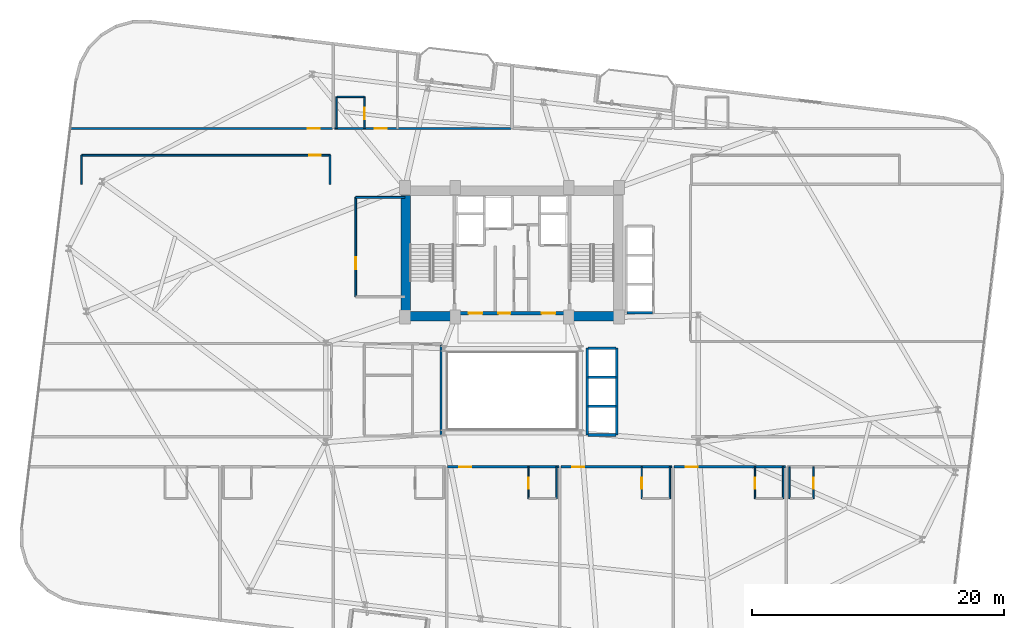
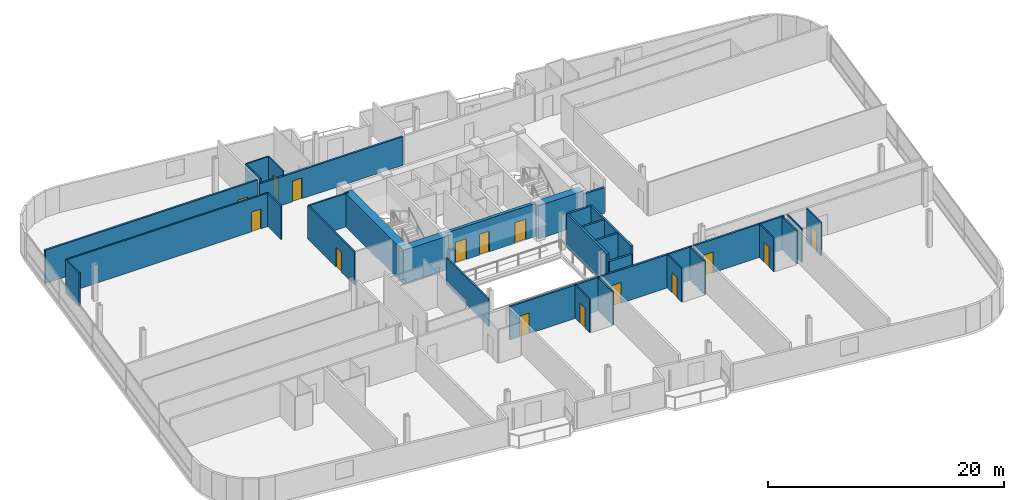
# One storey, part 21 of 26: 33 walls, 15 doors, 15 openings.
"""IFC4 building model written with IfcOpenShell, lengths in metres."""

from ifc_helpers import new_model, si_unit, direction, frame, frame_2d, origin, place, context, subcontext, project, spatial, rectangle, extrude, material, layer, layer_set, type_object, element, fill, save


model = new_model("IFC4")

# Units and contexts
model_context = context("Model", 3, precision=1e-05, world=origin(), true_north=direction((0.0, 1.0)))
body_context = subcontext(model_context, "Body", "Model", "MODEL_VIEW")
ifc_project = project(units=[si_unit("LENGTHUNIT", "METRE"), si_unit("AREAUNIT", "SQUARE_METRE"), si_unit("VOLUMEUNIT", "CUBIC_METRE"), si_unit("PLANEANGLEUNIT", "RADIAN"), si_unit("MASSUNIT", "GRAM", prefix="KILO")], contexts=[model_context])

# Site, building, storey
site_placement = place(None, origin())
site = spatial("IfcSite", under=ifc_project, at=site_placement, CompositionType="ELEMENT")
building_placement = place(site_placement, origin())
building = spatial("IfcBuilding", under=site, at=building_placement, Name="Varnelok Gate Tower", CompositionType="ELEMENT")
storey_placement = place(building_placement, frame((0.0, 0.0, 147.60009765625)))
storey = spatial("IfcBuildingStorey", under=building, at=storey_placement, Name="L37", CompositionType="ELEMENT", Elevation=147.60009765625)

# Wall, opening, door
ifc_material_1 = material(Name="Gypsum Plasterboard Acoustic Partition", Category="gypsum")
ifc_layer_1 = layer(ifc_material_1, 0.179931640625)
ifc_layer_set_1 = layer_set([ifc_layer_1], Name="Gypsum Plasterboard Acoustic Partition")
wall_type_1 = type_object("IfcWallType", Name="PW-CORR-180", PredefinedType="PARTITIONING", material=ifc_layer_set_1)
wall_1_placement = place(storey_placement, frame((34.080078125, 16.85009765625, 0.0), z_axis=(0.0, 0.0, 1.0), x_axis=(1.0, 0.0, 0.0)))
wall_1 = element("IfcWall", 1, at=wall_1_placement, inside=storey, type_object=wall_type_1, Name="Interior Partition", PredefinedType="PARTITIONING", context=body_context, shape_type="SweptSolid", body=[
    extrude(rectangle(XDim=8.83984375, YDim=0.179931640625, at=frame_2d((4.419921875, 0.0))), origin(), (0.0, 0.0, 1.0), 3.449951171875),
])
opening_1_placement = place(wall_1_placement, frame((0.91796875, 0.0, 0.0)))
opening_1 = element("IfcOpeningElement", 2, at=opening_1_placement, cuts=wall_1, Name="Opening D-HT", PredefinedType="OPENING", context=body_context, shape_type="SweptSolid", body=[
    extrude(rectangle(XDim=0.949951171875, YDim=2.14990234375, at=frame_2d((0.47509765625, 1.074951171875))), frame((0.0, 0.099853515625, 0.0), z_axis=(0.0, -1.0, 0.0), x_axis=(1.0, 0.0, 0.0)), (0.0, 0.0, 1.0), 0.199951171875),
])
ifc_material_2 = material(Name="Engineered Hardwood Timber", Category="wood")
door_type_1 = type_object("IfcDoorType", Name="DR-HTL-950", OperationType="NOTDEFINED", PredefinedType="DOOR", material=ifc_material_2)
door_1_placement = place(opening_1_placement, origin())
door_1 = element("IfcDoor", 3, at=door_1_placement, inside=storey, type_object=door_type_1, Name="L37 Guest Room 04 Entrance Door", OperationType="SINGLE_SWING_LEFT", OverallHeight=2.14990234375, OverallWidth=0.949951171875, PredefinedType="DOOR", context=body_context, shape_type="SweptSolid", body=[
    extrude(rectangle(XDim=0.949951171875, YDim=2.14990234375, at=frame_2d((0.47509765625, 1.074951171875))), frame((0.0, 0.02490234375, 0.0), z_axis=(0.0, -1.0, 0.0), x_axis=(1.0, 0.0, 0.0)), (0.0, 0.0, 1.0), 0.050048828125),
])
fill(opening_1, door_1)

wall_2_placement = place(storey_placement, frame((43.080078125, 16.85009765625, 0.0), z_axis=(0.0, 0.0, 1.0), x_axis=(1.0, 0.0, 0.0)))
wall_2 = element("IfcWall", 4, at=wall_2_placement, inside=storey, type_object=wall_type_1, Name="Interior Partition", PredefinedType="PARTITIONING", context=body_context, shape_type="SweptSolid", body=[
    extrude(rectangle(XDim=8.83984375, YDim=0.179931640625, at=frame_2d((4.419921875, 0.0))), origin(), (0.0, 0.0, 1.0), 3.449951171875),
])
opening_2_placement = place(wall_2_placement, frame((0.91796875, 0.0, 0.0)))
opening_2 = element("IfcOpeningElement", 5, at=opening_2_placement, cuts=wall_2, Name="Opening D-HT", PredefinedType="OPENING", context=body_context, shape_type="SweptSolid", body=[
    extrude(rectangle(XDim=0.949951171875, YDim=2.14990234375, at=frame_2d((0.47509765625, 1.074951171875))), frame((0.0, 0.099853515625, 0.0), z_axis=(0.0, -1.0, 0.0), x_axis=(1.0, 0.0, 0.0)), (0.0, 0.0, 1.0), 0.199951171875),
])
door_2_placement = place(opening_2_placement, origin())
door_2 = element("IfcDoor", 6, at=door_2_placement, inside=storey, type_object=door_type_1, Name="L37 Guest Room 05 Entrance Door", OperationType="SINGLE_SWING_RIGHT", OverallHeight=2.14990234375, OverallWidth=0.949951171875, PredefinedType="DOOR", context=body_context, shape_type="SweptSolid", body=[
    extrude(rectangle(XDim=0.949951171875, YDim=2.14990234375, at=frame_2d((0.47509765625, 1.074951171875))), frame((0.0, 0.02490234375, 0.0), z_axis=(0.0, -1.0, 0.0), x_axis=(1.0, 0.0, 0.0)), (0.0, 0.0, 1.0), 0.050048828125),
])
fill(opening_2, door_2)

wall_3_placement = place(storey_placement, frame((52.080078125, 16.85009765625, 0.0), z_axis=(0.0, 0.0, 1.0), x_axis=(1.0, 0.0, 0.0)))
wall_3 = element("IfcWall", 7, at=wall_3_placement, inside=storey, type_object=wall_type_1, Name="Interior Partition", PredefinedType="PARTITIONING", context=body_context, shape_type="SweptSolid", body=[
    extrude(rectangle(XDim=8.83984375, YDim=0.179931640625, at=frame_2d((4.419921875, 0.0))), origin(), (0.0, 0.0, 1.0), 3.449951171875),
])
opening_3_placement = place(wall_3_placement, frame((0.91796875, 0.0, 0.0)))
opening_3 = element("IfcOpeningElement", 8, at=opening_3_placement, cuts=wall_3, Name="Opening D-HT", PredefinedType="OPENING", context=body_context, shape_type="SweptSolid", body=[
    extrude(rectangle(XDim=0.949951171875, YDim=2.14990234375, at=frame_2d((0.47509765625, 1.074951171875))), frame((0.0, 0.099853515625, 0.0), z_axis=(0.0, -1.0, 0.0), x_axis=(1.0, 0.0, 0.0)), (0.0, 0.0, 1.0), 0.199951171875),
])
door_3_placement = place(opening_3_placement, origin())
door_3 = element("IfcDoor", 9, at=door_3_placement, inside=storey, type_object=door_type_1, Name="L37 Guest Room 06 Entrance Door", OperationType="SINGLE_SWING_LEFT", OverallHeight=2.14990234375, OverallWidth=0.949951171875, PredefinedType="DOOR", context=body_context, shape_type="SweptSolid", body=[
    extrude(rectangle(XDim=0.949951171875, YDim=2.14990234375, at=frame_2d((0.47509765625, 1.074951171875))), frame((0.0, 0.02490234375, 0.0), z_axis=(0.0, -1.0, 0.0), x_axis=(1.0, 0.0, 0.0)), (0.0, 0.0, 1.0), 0.050048828125),
])
fill(opening_3, door_3)

wall_4_placement = place(storey_placement, frame((4.142822265625, 43.72998046875, 0.0), z_axis=(0.0, 0.0, 1.0), x_axis=(1.0, 0.0, 0.0)))
wall_4 = element("IfcWall", 10, at=wall_4_placement, inside=storey, type_object=wall_type_1, Name="Interior Partition", PredefinedType="PARTITIONING", context=body_context, shape_type="SweptSolid", body=[
    extrude(rectangle(XDim=20.777099609375, YDim=0.179931640625, at=frame_2d((10.388671875, 0.0))), origin(), (0.0, 0.0, 1.0), 3.449951171875),
])
opening_4_placement = place(wall_4_placement, frame((18.83203125, 0.0, 0.0)))
opening_4 = element("IfcOpeningElement", 11, at=opening_4_placement, cuts=wall_4, Name="Opening D-I2", PredefinedType="OPENING", context=body_context, shape_type="SweptSolid", body=[
    extrude(rectangle(XDim=0.949951171875, YDim=2.050048828125, at=frame_2d((0.47509765625, 1.02490234375))), frame((0.0, 0.099853515625, 0.0), z_axis=(0.0, -1.0, 0.0), x_axis=(1.0, 0.0, 0.0)), (0.0, 0.0, 1.0), 0.199951171875),
])
door_type_2 = type_object("IfcDoorType", Name="DR-INT-950", OperationType="NOTDEFINED", PredefinedType="DOOR", material=ifc_material_2)
door_4_placement = place(opening_4_placement, origin())
door_4 = element("IfcDoor", 12, at=door_4_placement, inside=storey, type_object=door_type_2, Name="L37 Sky Library Door", OperationType="SINGLE_SWING_LEFT", OverallHeight=2.050048828125, OverallWidth=0.949951171875, PredefinedType="DOOR", context=body_context, shape_type="SweptSolid", body=[
    extrude(rectangle(XDim=0.949951171875, YDim=2.050048828125, at=frame_2d((0.47509765625, 1.02490234375))), frame((0.0, 0.02490234375, 0.0), z_axis=(0.0, -1.0, 0.0), x_axis=(1.0, 0.0, 0.0)), (0.0, 0.0, 1.0), 0.050048828125),
])
fill(opening_4, door_4)

wall_5_placement = place(storey_placement, frame((25.080078125, 43.72998046875, 0.0), z_axis=(0.0, 0.0, 1.0), x_axis=(1.0, 0.0, 0.0)))
wall_5 = element("IfcWall", 13, at=wall_5_placement, inside=storey, type_object=wall_type_1, Name="Interior Partition", PredefinedType="PARTITIONING", context=body_context, shape_type="SweptSolid", body=[
    extrude(rectangle(XDim=14.0400390625, YDim=0.179931640625, at=frame_2d((7.02001953125, 0.0))), origin(), (0.0, 0.0, 1.0), 2.971923828125),
])
opening_5_placement = place(wall_5_placement, frame((3.22998046875, 0.0, 0.0)))
opening_5 = element("IfcOpeningElement", 14, at=opening_5_placement, cuts=wall_5, Name="Opening D-HT", PredefinedType="OPENING", context=body_context, shape_type="SweptSolid", body=[
    extrude(rectangle(XDim=0.949951171875, YDim=2.14990234375, at=frame_2d((0.47509765625, 1.074951171875))), frame((0.0, 0.099853515625, 0.0), z_axis=(0.0, -1.0, 0.0), x_axis=(1.0, 0.0, 0.0)), (0.0, 0.0, 1.0), 0.199951171875),
])
door_5_placement = place(opening_5_placement, origin())
door_5 = element("IfcDoor", 15, at=door_5_placement, inside=storey, type_object=door_type_1, Name="L37 Guest Room 09 Entrance Door", OperationType="SINGLE_SWING_RIGHT", OverallHeight=2.14990234375, OverallWidth=0.949951171875, PredefinedType="DOOR", context=body_context, shape_type="SweptSolid", body=[
    extrude(rectangle(XDim=0.949951171875, YDim=2.14990234375, at=frame_2d((0.47509765625, 1.074951171875))), frame((0.0, 0.02490234375, 0.0), z_axis=(0.0, -1.0, 0.0), x_axis=(1.0, 0.0, 0.0)), (0.0, 0.0, 1.0), 0.050048828125),
])
fill(opening_5, door_5)

ifc_layer_2 = layer(ifc_material_1, 0.114990234375)
ifc_layer_set_2 = layer_set([ifc_layer_2], Name="Gypsum Plasterboard Acoustic Partition")
wall_type_2 = type_object("IfcWallType", Name="PW-ENS-125", PredefinedType="PARTITIONING", material=ifc_layer_set_2)
wall_6_placement = place(storey_placement, frame((40.510009765625, 14.330078125, 0.0), z_axis=(0.0, 0.0, 1.0), x_axis=(0.0, 1.0, 0.0)))
wall_6 = element("IfcWall", 16, at=wall_6_placement, inside=storey, type_object=wall_type_2, Name="Interior Partition", PredefinedType="PARTITIONING", context=body_context, shape_type="SweptSolid", body=[
    extrude(rectangle(XDim=2.52001953125, YDim=0.114990234375, at=frame_2d((1.260009765625, 0.0))), origin(), (0.0, 0.0, 1.0), 3.449951171875),
])
opening_6_placement = place(wall_6_placement, frame((0.760009765625, 0.0, 0.0)))
opening_6 = element("IfcOpeningElement", 17, at=opening_6_placement, cuts=wall_6, Name="Opening D-WC", PredefinedType="OPENING", context=body_context, shape_type="SweptSolid", body=[
    extrude(rectangle(XDim=0.89990234375, YDim=2.050048828125, at=frame_2d((0.449951171875, 1.02490234375))), frame((0.0, 0.0673828125, 0.0), z_axis=(0.0, -1.0, 0.0), x_axis=(1.0, 0.0, 0.0)), (0.0, 0.0, 1.0), 0.135009765625),
])
door_type_3 = type_object("IfcDoorType", Name="DR-BATH-900", OperationType="NOTDEFINED", PredefinedType="DOOR", material=ifc_material_2)
door_6_placement = place(opening_6_placement, origin())
door_6 = element("IfcDoor", 18, at=door_6_placement, inside=storey, type_object=door_type_3, Name="L37 Guest En-Suite 04 Door", OperationType="SINGLE_SWING_RIGHT", OverallHeight=2.050048828125, OverallWidth=0.89990234375, PredefinedType="DOOR", context=body_context, shape_type="SweptSolid", body=[
    extrude(rectangle(XDim=0.89990234375, YDim=2.050048828125, at=frame_2d((0.449951171875, 1.02490234375))), frame((0.0, 0.02490234375, 0.0), z_axis=(0.0, -1.0, 0.0), x_axis=(1.0, 0.0, 0.0)), (0.0, 0.0, 1.0), 0.050048828125),
])
fill(opening_6, door_6)

# Wall
wall_7_placement = place(storey_placement, frame((42.739990234375, 14.330078125, 0.0), z_axis=(0.0, 0.0, 1.0), x_axis=(0.0, 1.0, 0.0)))
element("IfcWall", 19, at=wall_7_placement, inside=storey, type_object=wall_type_2, Name="Interior Partition", PredefinedType="PARTITIONING", context=body_context, shape_type="SweptSolid", body=[
    extrude(rectangle(XDim=2.52001953125, YDim=0.114990234375, at=frame_2d((1.260009765625, 0.0))), origin(), (0.0, 0.0, 1.0), 3.449951171875),
])

# Wall, opening, door
wall_8_placement = place(storey_placement, frame((49.510009765625, 14.330078125, 0.0), z_axis=(0.0, 0.0, 1.0), x_axis=(0.0, 1.0, 0.0)))
wall_8 = element("IfcWall", 20, at=wall_8_placement, inside=storey, type_object=wall_type_2, Name="Interior Partition", PredefinedType="PARTITIONING", context=body_context, shape_type="SweptSolid", body=[
    extrude(rectangle(XDim=2.52001953125, YDim=0.114990234375, at=frame_2d((1.260009765625, 0.0))), origin(), (0.0, 0.0, 1.0), 3.449951171875),
])
opening_7_placement = place(wall_8_placement, frame((0.760009765625, 0.0, 0.0)))
opening_7 = element("IfcOpeningElement", 21, at=opening_7_placement, cuts=wall_8, Name="Opening D-WC", PredefinedType="OPENING", context=body_context, shape_type="SweptSolid", body=[
    extrude(rectangle(XDim=0.89990234375, YDim=2.050048828125, at=frame_2d((0.449951171875, 1.02490234375))), frame((0.0, 0.0673828125, 0.0), z_axis=(0.0, -1.0, 0.0), x_axis=(1.0, 0.0, 0.0)), (0.0, 0.0, 1.0), 0.135009765625),
])
door_7_placement = place(opening_7_placement, origin())
door_7 = element("IfcDoor", 22, at=door_7_placement, inside=storey, type_object=door_type_3, Name="L37 Guest En-Suite 05 Door", OperationType="SINGLE_SWING_RIGHT", OverallHeight=2.050048828125, OverallWidth=0.89990234375, PredefinedType="DOOR", context=body_context, shape_type="SweptSolid", body=[
    extrude(rectangle(XDim=0.89990234375, YDim=2.050048828125, at=frame_2d((0.449951171875, 1.02490234375))), frame((0.0, 0.02490234375, 0.0), z_axis=(0.0, -1.0, 0.0), x_axis=(1.0, 0.0, 0.0)), (0.0, 0.0, 1.0), 0.050048828125),
])
fill(opening_7, door_7)

# Wall
wall_9_placement = place(storey_placement, frame((51.739990234375, 14.330078125, 0.0), z_axis=(0.0, 0.0, 1.0), x_axis=(0.0, 1.0, 0.0)))
element("IfcWall", 23, at=wall_9_placement, inside=storey, type_object=wall_type_2, Name="Interior Partition", PredefinedType="PARTITIONING", context=body_context, shape_type="SweptSolid", body=[
    extrude(rectangle(XDim=2.52001953125, YDim=0.114990234375, at=frame_2d((1.260009765625, 0.0))), origin(), (0.0, 0.0, 1.0), 3.449951171875),
])

# Wall, opening, door
wall_10_placement = place(storey_placement, frame((58.510009765625, 14.330078125, 0.0), z_axis=(0.0, 0.0, 1.0), x_axis=(0.0, 1.0, 0.0)))
wall_10 = element("IfcWall", 24, at=wall_10_placement, inside=storey, type_object=wall_type_2, Name="Interior Partition", PredefinedType="PARTITIONING", context=body_context, shape_type="SweptSolid", body=[
    extrude(rectangle(XDim=2.52001953125, YDim=0.114990234375, at=frame_2d((1.260009765625, 0.0))), origin(), (0.0, 0.0, 1.0), 3.449951171875),
])
opening_8_placement = place(wall_10_placement, frame((0.760009765625, 0.0, 0.0)))
opening_8 = element("IfcOpeningElement", 25, at=opening_8_placement, cuts=wall_10, Name="Opening D-WC", PredefinedType="OPENING", context=body_context, shape_type="SweptSolid", body=[
    extrude(rectangle(XDim=0.89990234375, YDim=2.050048828125, at=frame_2d((0.449951171875, 1.02490234375))), frame((0.0, 0.0673828125, 0.0), z_axis=(0.0, -1.0, 0.0), x_axis=(1.0, 0.0, 0.0)), (0.0, 0.0, 1.0), 0.135009765625),
])
door_8_placement = place(opening_8_placement, origin())
door_8 = element("IfcDoor", 26, at=door_8_placement, inside=storey, type_object=door_type_3, Name="L37 Guest En-Suite 06 Door", OperationType="SINGLE_SWING_RIGHT", OverallHeight=2.050048828125, OverallWidth=0.89990234375, PredefinedType="DOOR", context=body_context, shape_type="SweptSolid", body=[
    extrude(rectangle(XDim=0.89990234375, YDim=2.050048828125, at=frame_2d((0.449951171875, 1.02490234375))), frame((0.0, 0.02490234375, 0.0), z_axis=(0.0, -1.0, 0.0), x_axis=(1.0, 0.0, 0.0)), (0.0, 0.0, 1.0), 0.050048828125),
])
fill(opening_8, door_8)

# Wall
wall_11_placement = place(storey_placement, frame((60.739990234375, 14.330078125, 0.0), z_axis=(0.0, 0.0, 1.0), x_axis=(0.0, 1.0, 0.0)))
element("IfcWall", 27, at=wall_11_placement, inside=storey, type_object=wall_type_2, Name="Interior Partition", PredefinedType="PARTITIONING", context=body_context, shape_type="SweptSolid", body=[
    extrude(rectangle(XDim=2.52001953125, YDim=0.114990234375, at=frame_2d((1.260009765625, 0.0))), origin(), (0.0, 0.0, 1.0), 3.449951171875),
])

# Wall, opening, door
wall_12_placement = place(storey_placement, frame((63.147216796875, 14.330078125, 0.0), z_axis=(0.0, 0.0, 1.0), x_axis=(0.0, 1.0, 0.0)))
wall_12 = element("IfcWall", 28, at=wall_12_placement, inside=storey, type_object=wall_type_2, Name="Interior Partition", PredefinedType="PARTITIONING", context=body_context, shape_type="SweptSolid", body=[
    extrude(rectangle(XDim=2.52001953125, YDim=0.114990234375, at=frame_2d((1.260009765625, 0.0))), origin(), (0.0, 0.0, 1.0), 3.449951171875),
])
opening_9_placement = place(wall_12_placement, frame((0.760009765625, 0.0, 0.0)))
opening_9 = element("IfcOpeningElement", 29, at=opening_9_placement, cuts=wall_12, Name="Opening D-WC", PredefinedType="OPENING", context=body_context, shape_type="SweptSolid", body=[
    extrude(rectangle(XDim=0.89990234375, YDim=2.050048828125, at=frame_2d((0.449951171875, 1.02490234375))), frame((0.0, 0.0673828125, 0.0), z_axis=(0.0, -1.0, 0.0), x_axis=(1.0, 0.0, 0.0)), (0.0, 0.0, 1.0), 0.135009765625),
])
door_9_placement = place(opening_9_placement, origin())
door_9 = element("IfcDoor", 30, at=door_9_placement, inside=storey, type_object=door_type_3, Name="L37 Guest En-Suite 07 Door", OperationType="SINGLE_SWING_LEFT", OverallHeight=2.050048828125, OverallWidth=0.89990234375, PredefinedType="DOOR", context=body_context, shape_type="SweptSolid", body=[
    extrude(rectangle(XDim=0.89990234375, YDim=2.050048828125, at=frame_2d((0.449951171875, 1.02490234375))), frame((0.0, 0.02490234375, 0.0), z_axis=(0.0, -1.0, 0.0), x_axis=(1.0, 0.0, 0.0)), (0.0, 0.0, 1.0), 0.050048828125),
])
fill(opening_9, door_9)

# Walls
wall_13_placement = place(storey_placement, frame((61.260009765625, 14.330078125, 0.0), z_axis=(0.0, 0.0, 1.0), x_axis=(0.0, 1.0, 0.0)))
element("IfcWall", 31, at=wall_13_placement, inside=storey, type_object=wall_type_2, Name="Interior Partition", PredefinedType="PARTITIONING", context=body_context, shape_type="SweptSolid", body=[
    extrude(rectangle(XDim=2.52001953125, YDim=0.114990234375, at=frame_2d((1.260009765625, 0.0))), origin(), (0.0, 0.0, 1.0), 3.449951171875),
])
wall_14_placement = place(storey_placement, frame((25.300048828125, 46.25, 0.0), z_axis=(0.0, 0.0, 1.0), x_axis=(1.0, 0.0, 0.0)))
element("IfcWall", 32, at=wall_14_placement, inside=storey, type_object=wall_type_2, Name="Interior Partition", PredefinedType="PARTITIONING", context=body_context, shape_type="SweptSolid", body=[
    extrude(rectangle(XDim=2.14990234375, YDim=0.114990234375, at=frame_2d((1.074951171875, 0.0))), origin(), (0.0, 0.0, 1.0), 3.449951171875),
])

# Wall, opening, door
wall_15_placement = place(storey_placement, frame((27.489990234375, 43.72998046875, 0.0), z_axis=(0.0, 0.0, 1.0), x_axis=(0.0, 1.0, 0.0)))
wall_15 = element("IfcWall", 33, at=wall_15_placement, inside=storey, type_object=wall_type_2, Name="Interior Partition", PredefinedType="PARTITIONING", context=body_context, shape_type="SweptSolid", body=[
    extrude(rectangle(XDim=2.52001953125, YDim=0.114990234375, at=frame_2d((1.260009765625, 0.0))), origin(), (0.0, 0.0, 1.0), 3.449951171875),
])
opening_10_placement = place(wall_15_placement, frame((0.760009765625, 0.0, 0.0)))
opening_10 = element("IfcOpeningElement", 34, at=opening_10_placement, cuts=wall_15, Name="Opening D-WC", PredefinedType="OPENING", context=body_context, shape_type="SweptSolid", body=[
    extrude(rectangle(XDim=0.89990234375, YDim=2.050048828125, at=frame_2d((0.449951171875, 1.02490234375))), frame((0.0, 0.0673828125, 0.0), z_axis=(0.0, -1.0, 0.0), x_axis=(1.0, 0.0, 0.0)), (0.0, 0.0, 1.0), 0.135009765625),
])
door_10_placement = place(opening_10_placement, origin())
door_10 = element("IfcDoor", 35, at=door_10_placement, inside=storey, type_object=door_type_3, Name="L37 North En-Suite 09 Door", OperationType="SINGLE_SWING_RIGHT", OverallHeight=2.050048828125, OverallWidth=0.89990234375, PredefinedType="DOOR", context=body_context, shape_type="SweptSolid", body=[
    extrude(rectangle(XDim=0.89990234375, YDim=2.050048828125, at=frame_2d((0.449951171875, 1.02490234375))), frame((0.0, 0.02490234375, 0.0), z_axis=(0.0, -1.0, 0.0), x_axis=(1.0, 0.0, 0.0)), (0.0, 0.0, 1.0), 0.050048828125),
])
fill(opening_10, door_10)

# Walls
wall_16_placement = place(storey_placement, frame((25.260009765625, 43.72998046875, 0.0), z_axis=(0.0, 0.0, 1.0), x_axis=(0.0, 1.0, 0.0)))
element("IfcWall", 36, at=wall_16_placement, inside=storey, type_object=wall_type_2, Name="Interior Partition", PredefinedType="PARTITIONING", context=body_context, shape_type="SweptSolid", body=[
    extrude(rectangle(XDim=2.52001953125, YDim=0.114990234375, at=frame_2d((1.260009765625, 0.0))), origin(), (0.0, 0.0, 1.0), 3.449951171875),
])
ifc_layer_3 = layer(ifc_material_1, 0.125)
ifc_layer_set_3 = layer_set([ifc_layer_3], Name="Gypsum Plasterboard Acoustic Partition")
wall_type_3 = type_object("IfcWallType", Name="PW-PART-125", PredefinedType="PARTITIONING", material=ifc_layer_set_3)
for number, where, z_axis, x_axis, name in (
    (37, (5.0, 39.300048828125, 0.0), (0.0, 0.0, 1.0), (0.0, 1.0, 0.0), "Interior Partition"),
    (38, (24.739990234375, 39.300048828125, 0.0), (0.0, 0.0, 1.0), (0.0, 1.0, 0.0), "Interior Partition"),
):
    element("IfcWall", number, at=place(storey_placement, frame(where, z_axis=z_axis, x_axis=x_axis)), inside=storey, type_object=wall_type_3, Name=name, PredefinedType="PARTITIONING", context=body_context, shape_type="SweptSolid", body=[
        extrude(rectangle(XDim=2.31005859375, YDim=0.125, at=frame_2d((1.155029296875, 0.0))), origin(), (0.0, 0.0, 1.0), 3.449951171875),
    ])

# Wall, opening, door
ifc_layer_4 = layer(ifc_material_1, 0.14990234375)
ifc_layer_set_4 = layer_set([ifc_layer_4], Name="Gypsum Plasterboard Acoustic Partition")
wall_type_4 = type_object("IfcWallType", Name="PW-PART-150", PredefinedType="PARTITIONING", material=ifc_layer_set_4)
wall_17_placement = place(storey_placement, frame((5.0, 41.610107421875, 0.0), z_axis=(0.0, 0.0, 1.0), x_axis=(1.0, 0.0, 0.0)))
wall_17 = element("IfcWall", 39, at=wall_17_placement, inside=storey, type_object=wall_type_4, Name="Interior Partition", PredefinedType="PARTITIONING", context=body_context, shape_type="SweptSolid", body=[
    extrude(rectangle(XDim=19.739990234375, YDim=0.14990234375, at=frame_2d((9.8701171875, 0.0))), origin(), (0.0, 0.0, 1.0), 3.449951171875),
])
opening_11_placement = place(wall_17_placement, frame((18.095947265625, 0.0, 0.0)))
opening_11 = element("IfcOpeningElement", 40, at=opening_11_placement, cuts=wall_17, Name="Opening D-I3", PredefinedType="OPENING", context=body_context, shape_type="SweptSolid", body=[
    extrude(rectangle(XDim=0.919921875, YDim=2.050048828125, at=frame_2d((0.4599609375, 1.02490234375))), frame((0.0, 0.0849609375, 0.0), z_axis=(0.0, -1.0, 0.0), x_axis=(1.0, 0.0, 0.0)), (0.0, 0.0, 1.0), 0.169921875),
])
door_type_4 = type_object("IfcDoorType", Name="DR-INT-920", OperationType="NOTDEFINED", PredefinedType="DOOR", material=ifc_material_2)
door_11_placement = place(opening_11_placement, origin())
door_11 = element("IfcDoor", 41, at=door_11_placement, inside=storey, type_object=door_type_4, Name="L37 North Study 1 Door", OperationType="SINGLE_SWING_RIGHT", OverallHeight=2.050048828125, OverallWidth=0.919921875, PredefinedType="DOOR", context=body_context, shape_type="SweptSolid", body=[
    extrude(rectangle(XDim=0.919921875, YDim=2.050048828125, at=frame_2d((0.4599609375, 1.02490234375))), frame((0.0, 0.02490234375, 0.0), z_axis=(0.0, -1.0, 0.0), x_axis=(1.0, 0.0, 0.0)), (0.0, 0.0, 1.0), 0.050048828125),
])
fill(opening_11, door_11)

# Walls
wall_18_placement = place(storey_placement, frame((33.56005859375, 19.3798828125, 0.0), z_axis=(0.0, 0.0, 1.0), x_axis=(0.0, 1.0, 0.0)))
element("IfcWall", 42, at=wall_18_placement, inside=storey, type_object=wall_type_4, Name="Interior Partition", PredefinedType="PARTITIONING", context=body_context, shape_type="SweptSolid", body=[
    extrude(rectangle(XDim=7.16015625, YDim=0.14990234375, at=frame_2d((3.580078125, 0.0))), origin(), (0.0, 0.0, 1.0), 2.823974609375),
])
wall_19_placement = place(storey_placement, frame((26.780029296875, 38.260009765625, 0.0), z_axis=(0.0, 0.0, 1.0), x_axis=(1.0, 0.0, 0.0)))
element("IfcWall", 43, at=wall_19_placement, inside=storey, type_object=wall_type_4, Name="Interior Partition", PredefinedType="PARTITIONING", context=body_context, shape_type="SweptSolid", body=[
    extrude(rectangle(XDim=3.89990234375, YDim=0.14990234375, at=frame_2d((1.949951171875, 0.0))), origin(), (0.0, 0.0, 1.0), 3.449951171875),
])

# Wall, opening, door
wall_20_placement = place(storey_placement, frame((26.780029296875, 30.360107421875, 0.0), z_axis=(0.0, 0.0, 1.0), x_axis=(0.0, 1.0, 0.0)))
wall_20 = element("IfcWall", 44, at=wall_20_placement, inside=storey, type_object=wall_type_4, Name="Interior Partition", PredefinedType="PARTITIONING", context=body_context, shape_type="SweptSolid", body=[
    extrude(rectangle(XDim=7.89990234375, YDim=0.14990234375, at=frame_2d((3.949951171875, 0.0))), origin(), (0.0, 0.0, 1.0), 3.449951171875),
])
opening_12_placement = place(wall_20_placement, frame((2.199951171875, 0.0, 0.0)))
opening_12 = element("IfcOpeningElement", 45, at=opening_12_placement, cuts=wall_20, Name="Opening D-I2", PredefinedType="OPENING", context=body_context, shape_type="SweptSolid", body=[
    extrude(rectangle(XDim=0.949951171875, YDim=2.050048828125, at=frame_2d((0.47509765625, 1.02490234375))), frame((0.0, 0.0849609375, 0.0), z_axis=(0.0, -1.0, 0.0), x_axis=(1.0, 0.0, 0.0)), (0.0, 0.0, 1.0), 0.169921875),
])
door_12_placement = place(opening_12_placement, origin())
door_12 = element("IfcDoor", 46, at=door_12_placement, inside=storey, type_object=door_type_2, Name="L37 Core Valet Door", OperationType="SINGLE_SWING_RIGHT", OverallHeight=2.050048828125, OverallWidth=0.949951171875, PredefinedType="DOOR", context=body_context, shape_type="SweptSolid", body=[
    extrude(rectangle(XDim=0.949951171875, YDim=2.050048828125, at=frame_2d((0.47509765625, 1.02490234375))), frame((0.0, 0.02490234375, 0.0), z_axis=(0.0, -1.0, 0.0), x_axis=(1.0, 0.0, 0.0)), (0.0, 0.0, 1.0), 0.050048828125),
])
fill(opening_12, door_12)

# Walls
ifc_material_3 = material(Name="Concrete C35/45", Category="concrete")
ifc_layer_5 = layer(ifc_material_3, 0.199951171875)
ifc_layer_set_5 = layer_set([ifc_layer_5], Name="Concrete C35/45")
wall_type_5 = type_object("IfcWallType", Name="PW-SHAFT-200", PredefinedType="PARTITIONING", material=ifc_layer_set_5)
wall_21_placement = place(storey_placement, frame((48.320068359375, 29.080078125, 0.0), z_axis=(0.0, 0.0, 1.0), x_axis=(1.0, 0.0, 0.0)))
element("IfcWall", 47, at=wall_21_placement, inside=storey, type_object=wall_type_5, Name="L37 PM Bank South Wall", PredefinedType="PARTITIONING", context=body_context, shape_type="SweptSolid", body=[
    extrude(rectangle(XDim=2.059814453125, YDim=0.199951171875, at=frame_2d((1.02978515625, 0.0))), origin(), (0.0, 0.0, 1.0), 2.661865234375),
])
for number, where, z_axis, x_axis, name in (
    (48, (45.239990234375, 21.675048828125, 0.0), (0.0, 0.0, 1.0), (1.0, 0.0, 0.0), "L37 PH1 Divider"),
    (49, (45.239990234375, 23.97509765625, 0.0), (0.0, 0.0, 1.0), (1.0, 0.0, 0.0), "L37 PH2 Divider"),
):
    element("IfcWall", number, at=place(storey_placement, frame(where, z_axis=z_axis, x_axis=x_axis)), inside=storey, type_object=wall_type_5, Name=name, PredefinedType="PARTITIONING", context=body_context, shape_type="SweptSolid", body=[
        extrude(rectangle(XDim=2.219970703125, YDim=0.199951171875, at=frame_2d((1.10986328125, 0.0))), origin(), (0.0, 0.0, 1.0), 3.449951171875),
    ])
wall_22_placement = place(storey_placement, frame((45.239990234375, 19.3798828125, 0.0), z_axis=(0.0, 0.0, 1.0), x_axis=(1.0, 0.0, 0.0)))
element("IfcWall", 50, at=wall_22_placement, inside=storey, type_object=wall_type_5, Name="L37 PH Bank South Wall", PredefinedType="PARTITIONING", context=body_context, shape_type="SweptSolid", body=[
    extrude(rectangle(XDim=2.219970703125, YDim=0.199951171875, at=frame_2d((1.10986328125, 0.0))), origin(), (0.0, 0.0, 1.0), 2.661865234375),
])
wall_23_placement = place(storey_placement, frame((45.239990234375, 26.280029296875, 0.0), z_axis=(0.0, 0.0, 1.0), x_axis=(1.0, 0.0, 0.0)))
element("IfcWall", 51, at=wall_23_placement, inside=storey, type_object=wall_type_5, Name="L37 PH Bank North Wall", PredefinedType="PARTITIONING", context=body_context, shape_type="SweptSolid", body=[
    extrude(rectangle(XDim=2.219970703125, YDim=0.199951171875, at=frame_2d((1.10986328125, 0.0))), origin(), (0.0, 0.0, 1.0), 3.449951171875),
])
for number, where, z_axis, x_axis, name in (
    (52, (45.179931640625, 19.3798828125, 0.0), (0.0, 0.0, 1.0), (0.0, 1.0, 0.0), "L37 PH Bank Atrium Wall"),
    (53, (47.52001953125, 19.3798828125, 0.0), (0.0, 0.0, 1.0), (0.0, 1.0, 0.0), "L37 PH Bank Front Wall"),
):
    element("IfcWall", number, at=place(storey_placement, frame(where, z_axis=z_axis, x_axis=x_axis)), inside=storey, type_object=wall_type_5, Name=name, PredefinedType="PARTITIONING", context=body_context, shape_type="SweptSolid", body=[
        extrude(rectangle(XDim=6.900146484375, YDim=0.199951171875, at=frame_2d((3.4501953125, 0.0))), origin(), (0.0, 0.0, 1.0), 3.449951171875),
    ])
ifc_material_4 = material(Name="Concrete C70/85", Category="concrete")
ifc_layer_6 = layer(ifc_material_4, 0.75)
ifc_layer_set_6 = layer_set([ifc_layer_6], Name="Concrete C70/85")
wall_type_6 = type_object("IfcWallType", Name="SW-CORE-750", PredefinedType="SHEAR", material=ifc_layer_set_6)
wall_24_placement = place(storey_placement, frame((30.7548828125, 29.199951171875, 0.0), z_axis=(0.0, 0.0, 1.0), x_axis=(0.0, 1.0, 0.0)))
element("IfcWall", 54, at=wall_24_placement, inside=storey, type_object=wall_type_6, Name="L37 Rear Core West Shear Wall", PredefinedType="SHEAR", context=body_context, shape_type="SweptSolid", body=[
    extrude(rectangle(XDim=9.219970703125, YDim=0.75, at=frame_2d((4.60986328125, 0.0))), origin(), (0.0, 0.0, 1.0), 3.449951171875),
])
wall_25_placement = place(storey_placement, frame((30.3798828125, 28.824951171875, 0.0), z_axis=(0.0, 0.0, 1.0), x_axis=(1.0, 0.0, 0.0)))
element("IfcWall", 55, at=wall_25_placement, inside=storey, type_object=wall_type_6, Name="L37 Rear Core South-West Shear Wall", PredefinedType="SHEAR", context=body_context, shape_type="SweptSolid", body=[
    extrude(rectangle(XDim=4.420166015625, YDim=0.75, at=frame_2d((2.2099609375, 0.0))), origin(), (0.0, 0.0, 1.0), 3.449951171875),
])
wall_26_placement = place(storey_placement, frame((43.60009765625, 28.824951171875, 0.0), z_axis=(0.0, 0.0, 1.0), x_axis=(1.0, 0.0, 0.0)))
element("IfcWall", 56, at=wall_26_placement, inside=storey, type_object=wall_type_6, Name="L37 Rear Core South-East Shear Wall", PredefinedType="SHEAR", context=body_context, shape_type="SweptSolid", body=[
    extrude(rectangle(XDim=4.419921875, YDim=0.75, at=frame_2d((2.2099609375, 0.0))), origin(), (0.0, 0.0, 1.0), 3.449951171875),
])

# Wall, openings, doors
ifc_material_5 = material(Name="Concrete C60/75", Category="concrete")
ifc_layer_7 = layer(ifc_material_5, 0.300048828125)
ifc_layer_set_7 = layer_set([ifc_layer_7], Name="Concrete C60/75")
wall_type_7 = type_object("IfcWallType", Name="SW-SHAFT-300", PredefinedType="SHEAR", material=ifc_layer_set_7)
wall_27_placement = place(storey_placement, frame((34.800048828125, 29.050048828125, 0.0), z_axis=(0.0, 0.0, 1.0), x_axis=(1.0, 0.0, 0.0)))
wall_27 = element("IfcWall", 57, at=wall_27_placement, inside=storey, type_object=wall_type_7, Name="L37 Rear Core Central Lobby Shear Wall", PredefinedType="SHEAR", context=body_context, shape_type="SweptSolid", body=[
    extrude(rectangle(XDim=8.800048828125, YDim=0.300048828125, at=frame_2d((4.39990234375, 0.0))), origin(), (0.0, 0.0, 1.0), 3.449951171875),
])
opening_13_placement = place(wall_27_placement, frame((0.949951171875, 0.0, 0.0)))
opening_13 = element("IfcOpeningElement", 58, at=opening_13_placement, cuts=wall_27, Name="Opening D-FF", PredefinedType="OPENING", context=body_context, shape_type="SweptSolid", body=[
    extrude(rectangle(XDim=1.10009765625, YDim=2.14990234375, at=frame_2d((0.550048828125, 1.074951171875))), frame((0.0, 0.159912109375, 0.0), z_axis=(0.0, -1.0, 0.0), x_axis=(1.0, 0.0, 0.0)), (0.0, 0.0, 1.0), 0.320068359375),
])
opening_14_placement = place(wall_27_placement, frame((6.75, 0.0, 0.0)))
opening_14 = element("IfcOpeningElement", 59, at=opening_14_placement, cuts=wall_27, Name="Opening D-FF", PredefinedType="OPENING", context=body_context, shape_type="SweptSolid", body=[
    extrude(rectangle(XDim=1.10009765625, YDim=2.14990234375, at=frame_2d((0.550048828125, 1.074951171875))), frame((0.0, 0.159912109375, 0.0), z_axis=(0.0, -1.0, 0.0), x_axis=(1.0, 0.0, 0.0)), (0.0, 0.0, 1.0), 0.320068359375),
])
opening_15_placement = place(wall_27_placement, frame((3.320068359375, 0.0, 0.0)))
opening_15 = element("IfcOpeningElement", 60, at=opening_15_placement, cuts=wall_27, Name="Opening D-CR", PredefinedType="OPENING", context=body_context, shape_type="SweptSolid", body=[
    extrude(rectangle(XDim=0.949951171875, YDim=2.14990234375, at=frame_2d((0.47509765625, 1.074951171875))), frame((0.0, 0.159912109375, 0.0), z_axis=(0.0, -1.0, 0.0), x_axis=(1.0, 0.0, 0.0)), (0.0, 0.0, 1.0), 0.320068359375),
])
ifc_material_6 = material(Name="Galvanized Steel Grade S350GD", Category="steel")
door_type_5 = type_object("IfcDoorType", Name="DR-CORR-950", OperationType="NOTDEFINED", PredefinedType="DOOR", material=ifc_material_6)
door_13_placement = place(opening_15_placement, origin())
door_13 = element("IfcDoor", 61, at=door_13_placement, inside=storey, type_object=door_type_5, Name="L37 Core Service Passage Door", OperationType="SINGLE_SWING_LEFT", OverallHeight=2.14990234375, OverallWidth=0.949951171875, PredefinedType="DOOR", context=body_context, shape_type="SweptSolid", body=[
    extrude(rectangle(XDim=0.949951171875, YDim=2.14990234375, at=frame_2d((0.47509765625, 1.074951171875))), frame((0.0, 0.02490234375, 0.0), z_axis=(0.0, -1.0, 0.0), x_axis=(1.0, 0.0, 0.0)), (0.0, 0.0, 1.0), 0.050048828125),
])
fill(opening_15, door_13)
door_type_6 = type_object("IfcDoorType", Name="DR-FFLOB-1100", OperationType="NOTDEFINED", PredefinedType="DOOR", material=ifc_material_6)
door_14_placement = place(opening_13_placement, origin())
door_14 = element("IfcDoor", 62, at=door_14_placement, inside=storey, type_object=door_type_6, Name="L37 West Firefighting Lobby Fire Door", OperationType="SINGLE_SWING_RIGHT", OverallHeight=2.14990234375, OverallWidth=1.10009765625, PredefinedType="DOOR", context=body_context, shape_type="SweptSolid", body=[
    extrude(rectangle(XDim=1.10009765625, YDim=2.14990234375, at=frame_2d((0.550048828125, 1.074951171875))), frame((0.0, 0.02490234375, 0.0), z_axis=(0.0, -1.0, 0.0), x_axis=(1.0, 0.0, 0.0)), (0.0, 0.0, 1.0), 0.050048828125),
])
fill(opening_13, door_14)
door_15_placement = place(opening_14_placement, origin())
door_15 = element("IfcDoor", 63, at=door_15_placement, inside=storey, type_object=door_type_6, Name="L37 East Firefighting Lobby Fire Door", OperationType="SINGLE_SWING_LEFT", OverallHeight=2.14990234375, OverallWidth=1.10009765625, PredefinedType="DOOR", context=body_context, shape_type="SweptSolid", body=[
    extrude(rectangle(XDim=1.10009765625, YDim=2.14990234375, at=frame_2d((0.550048828125, 1.074951171875))), frame((0.0, 0.02490234375, 0.0), z_axis=(0.0, -1.0, 0.0), x_axis=(1.0, 0.0, 0.0)), (0.0, 0.0, 1.0), 0.050048828125),
])
fill(opening_14, door_15)

save(model, "model.ifc")
